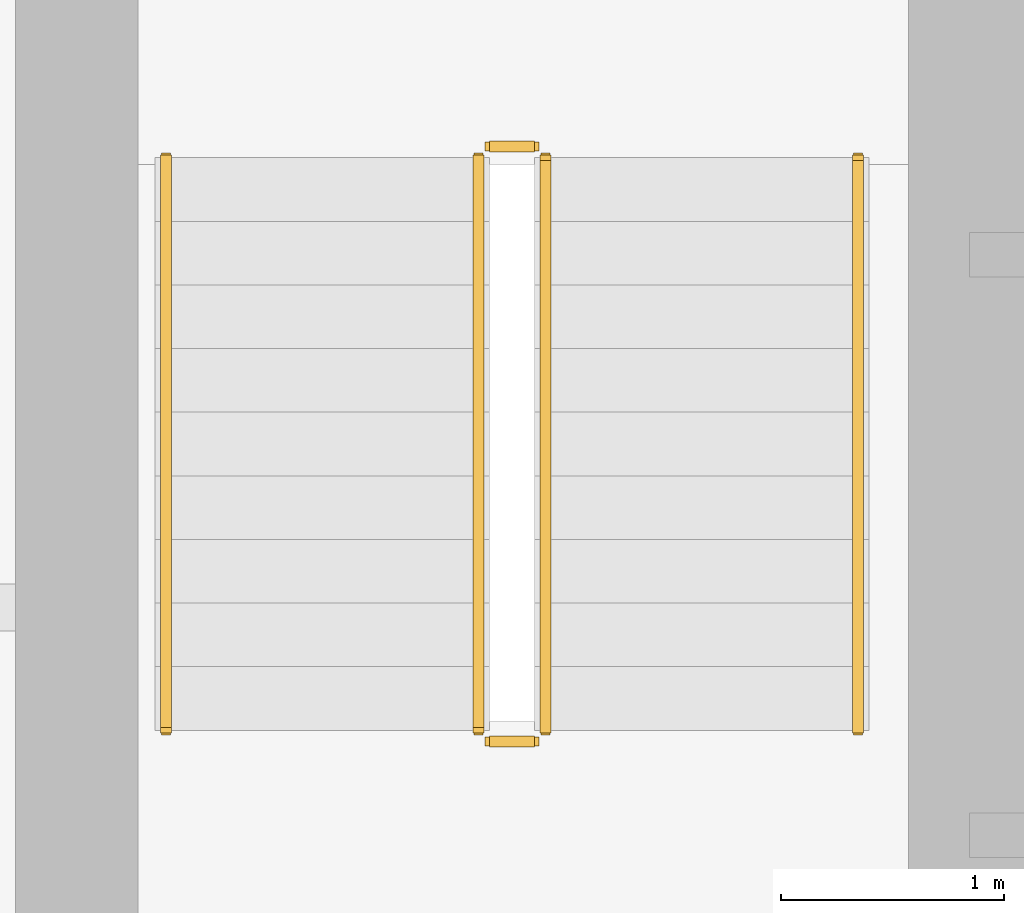
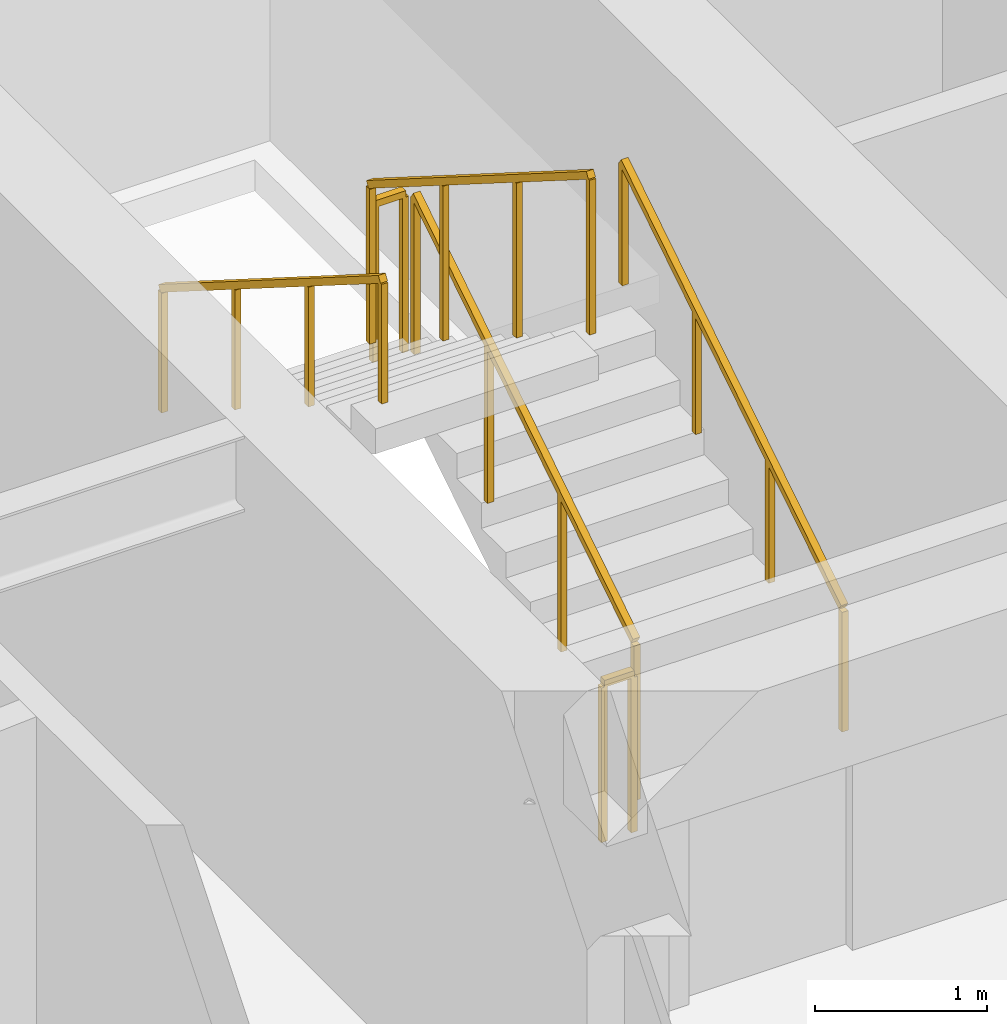
# One storey, part 22 of 24: 6 railings.
"""IFC4 building model written with IfcOpenShell, lengths in metres."""

from ifc_helpers import new_model, si_unit, direction, frame, origin, origin_2d, place, context, subcontext, project, spatial, rectangle, extrude, material, type_object, element, save


model = new_model("IFC4")

# Units and contexts
model_context = context("Model", 3, precision=1e-05, world=origin(), true_north=direction((0.0, 1.0)))
body_context = subcontext(model_context, "Body", "Model", "MODEL_VIEW")
ifc_project = project(units=[si_unit("LENGTHUNIT", "METRE"), si_unit("AREAUNIT", "SQUARE_METRE"), si_unit("VOLUMEUNIT", "CUBIC_METRE"), si_unit("PLANEANGLEUNIT", "RADIAN"), si_unit("MASSUNIT", "GRAM", prefix="KILO")], contexts=[model_context])

# Site, building, storey
site_placement = place(None, origin())
site = spatial("IfcSite", under=ifc_project, at=site_placement, CompositionType="ELEMENT")
building_placement = place(site_placement, origin())
building = spatial("IfcBuilding", under=site, at=building_placement, Name="Sarneth Arch Tower", CompositionType="ELEMENT")
storey_placement = place(building_placement, frame((0.0, 0.0, 130.800048828125)))
storey = spatial("IfcBuildingStorey", under=building, at=storey_placement, Name="L33", CompositionType="ELEMENT", Elevation=130.800048828125)

# Railings
ifc_material_1 = material(Name="Brushed Stainless Steel 304 tubular handrail", Category="steel")
railing_type_1 = type_object("IfcRailingType", Name="RAIL-HANDRAIL-900", PredefinedType="HANDRAIL", material=ifc_material_1)
railing_1_placement = place(storey_placement, frame((40.5, 41.449951171875, 0.179931640625)))
element("IfcRailing", 1, at=railing_1_placement, inside=storey, type_object=railing_type_1, Name="L33 ST-1 stair handrail 1", PredefinedType="HANDRAIL", context=body_context, shape_type="SweptSolid", body=[
    extrude(rectangle(XDim=0.048095703125, YDim=0.048095703125, at=origin_2d()), frame((0.0, 0.0, 0.8759765625), z_axis=(0.0, 0.845465955043, 0.534029323973), x_axis=(-1.0, 0.0, 0.0)), (0.0, 0.0, 1.0), 3.03369140625),
    extrude(rectangle(XDim=0.0419921875, YDim=0.0419921875, at=origin_2d()), origin(), (0.0, 0.0, 1.0), 0.851806640625),
    extrude(rectangle(XDim=0.0419921875, YDim=0.0419921875, at=origin_2d()), frame((0.0, 0.85498046875, 0.5400390625)), (0.0, 0.0, 1.0), 0.851806640625),
    extrude(rectangle(XDim=0.0419921875, YDim=0.0419921875, at=origin_2d()), frame((0.0, 1.7099609375, 1.080078125)), (0.0, 0.0, 1.0), 0.851806640625),
    extrude(rectangle(XDim=0.0419921875, YDim=0.0419921875, at=origin_2d()), frame((0.0, 2.56494140625, 1.6201171875)), (0.0, 0.0, 1.0), 0.851806640625),
])
railing_2_placement = place(storey_placement, frame((37.39990234375, 44.014892578125, 1.97998046875)))
element("IfcRailing", 2, at=railing_2_placement, inside=storey, type_object=railing_type_1, Name="L33 ST-1 stair handrail 2", PredefinedType="HANDRAIL", context=body_context, shape_type="SweptSolid", body=[
    extrude(rectangle(XDim=0.048095703125, YDim=0.048095703125, at=origin_2d()), frame((0.0, 0.0, 0.8759765625), z_axis=(0.0, -0.845502289212, 0.533971796014), x_axis=(1.0, 0.0, 0.0)), (0.0, 0.0, 1.0), 3.03369140625),
    extrude(rectangle(XDim=0.0419921875, YDim=0.0419921875, at=origin_2d()), origin(), (0.0, 0.0, 1.0), 0.851806640625),
    extrude(rectangle(XDim=0.0419921875, YDim=0.0419921875, at=origin_2d()), frame((0.0, -0.85498046875, 0.5400390625)), (0.0, 0.0, 1.0), 0.851806640625),
    extrude(rectangle(XDim=0.0419921875, YDim=0.0419921875, at=origin_2d()), frame((0.0, -1.7099609375, 1.079833984375)), (0.0, 0.0, 1.0), 0.851806640625),
    extrude(rectangle(XDim=0.0419921875, YDim=0.0419921875, at=origin_2d()), frame((0.0, -2.56494140625, 1.619873046875)), (0.0, 0.0, 1.0), 0.851806640625),
])
ifc_material_2 = material(Name="Painted Steel S275 stair well guard", Category="steel")
railing_type_2 = type_object("IfcRailingType", Name="RAIL-STAIR-GUARD", PredefinedType="GUARDRAIL", material=ifc_material_2)
railing_3_placement = place(storey_placement, frame((39.10009765625, 41.449951171875, 0.179931640625)))
element("IfcRailing", 3, at=railing_3_placement, inside=storey, type_object=railing_type_2, Name="L33 ST-1 stair guard 1", PredefinedType="GUARDRAIL", context=body_context, shape_type="SweptSolid", body=[
    extrude(rectangle(XDim=0.048095703125, YDim=0.048095703125, at=origin_2d()), frame((0.0, 0.0, 1.1259765625), z_axis=(0.0, 0.845465955043, 0.534029323973), x_axis=(-1.0, 0.0, 0.0)), (0.0, 0.0, 1.0), 3.03369140625),
    extrude(rectangle(XDim=0.0419921875, YDim=0.0419921875, at=origin_2d()), origin(), (0.0, 0.0, 1.0), 1.101806640625),
    extrude(rectangle(XDim=0.0419921875, YDim=0.0419921875, at=origin_2d()), frame((0.0, 0.85498046875, 0.5400390625)), (0.0, 0.0, 1.0), 1.101806640625),
    extrude(rectangle(XDim=0.0419921875, YDim=0.0419921875, at=origin_2d()), frame((0.0, 1.7099609375, 1.080078125)), (0.0, 0.0, 1.0), 1.101806640625),
    extrude(rectangle(XDim=0.0419921875, YDim=0.0419921875, at=origin_2d()), frame((0.0, 2.56494140625, 1.6201171875)), (0.0, 0.0, 1.0), 1.101806640625),
])
railing_4_placement = place(storey_placement, frame((39.050048828125, 44.06494140625, 1.800048828125)))
element("IfcRailing", 4, at=railing_4_placement, inside=storey, type_object=railing_type_2, Name="L33 ST-1 stair guard 2", PredefinedType="GUARDRAIL", context=body_context, shape_type="SweptSolid", body=[
    extrude(rectangle(XDim=0.048095703125, YDim=0.048095703125, at=origin_2d()), frame((0.0, 0.0, 1.1259765625), z_axis=(-1.0, 0.0, 0.0), x_axis=(0.0, -1.0, 0.0)), (0.0, 0.0, 1.0), 0.199951171875),
    extrude(rectangle(XDim=0.0419921875, YDim=0.0419921875, at=origin_2d()), origin(), (0.0, 0.0, 1.0), 1.101806640625),
    extrude(rectangle(XDim=0.0419921875, YDim=0.0419921875, at=origin_2d()), frame((-0.199951171875, 0.0, 0.0)), (0.0, 0.0, 1.0), 1.101806640625),
])
railing_5_placement = place(storey_placement, frame((38.800048828125, 44.014892578125, 1.97998046875)))
element("IfcRailing", 5, at=railing_5_placement, inside=storey, type_object=railing_type_2, Name="L33 ST-1 stair guard 3", PredefinedType="GUARDRAIL", context=body_context, shape_type="SweptSolid", body=[
    extrude(rectangle(XDim=0.048095703125, YDim=0.048095703125, at=origin_2d()), frame((0.0, 0.0, 1.1259765625), z_axis=(0.0, -0.845502289212, 0.533971796014), x_axis=(1.0, 0.0, 0.0)), (0.0, 0.0, 1.0), 3.03369140625),
    extrude(rectangle(XDim=0.0419921875, YDim=0.0419921875, at=origin_2d()), origin(), (0.0, 0.0, 1.0), 1.101806640625),
    extrude(rectangle(XDim=0.0419921875, YDim=0.0419921875, at=origin_2d()), frame((0.0, -0.85498046875, 0.5400390625)), (0.0, 0.0, 1.0), 1.101806640625),
    extrude(rectangle(XDim=0.0419921875, YDim=0.0419921875, at=origin_2d()), frame((0.0, -1.7099609375, 1.079833984375)), (0.0, 0.0, 1.0), 1.101806640625),
    extrude(rectangle(XDim=0.0419921875, YDim=0.0419921875, at=origin_2d()), frame((0.0, -2.56494140625, 1.619873046875)), (0.0, 0.0, 1.0), 1.101806640625),
])
railing_6_placement = place(storey_placement, frame((39.050048828125, 41.39990234375, 0.0)))
element("IfcRailing", 6, at=railing_6_placement, inside=storey, type_object=railing_type_2, Name="L33 ST-1 stair guard 4", PredefinedType="GUARDRAIL", context=body_context, shape_type="SweptSolid", body=[
    extrude(rectangle(XDim=0.048095703125, YDim=0.048095703125, at=origin_2d()), frame((0.0, 0.0, 1.1259765625), z_axis=(-1.0, 0.0, 0.0), x_axis=(0.0, -1.0, 0.0)), (0.0, 0.0, 1.0), 0.199951171875),
    extrude(rectangle(XDim=0.0419921875, YDim=0.0419921875, at=origin_2d()), origin(), (0.0, 0.0, 1.0), 1.101806640625),
    extrude(rectangle(XDim=0.0419921875, YDim=0.0419921875, at=origin_2d()), frame((-0.199951171875, 0.0, 0.0)), (0.0, 0.0, 1.0), 1.101806640625),
])

save(model, "model.ifc")
